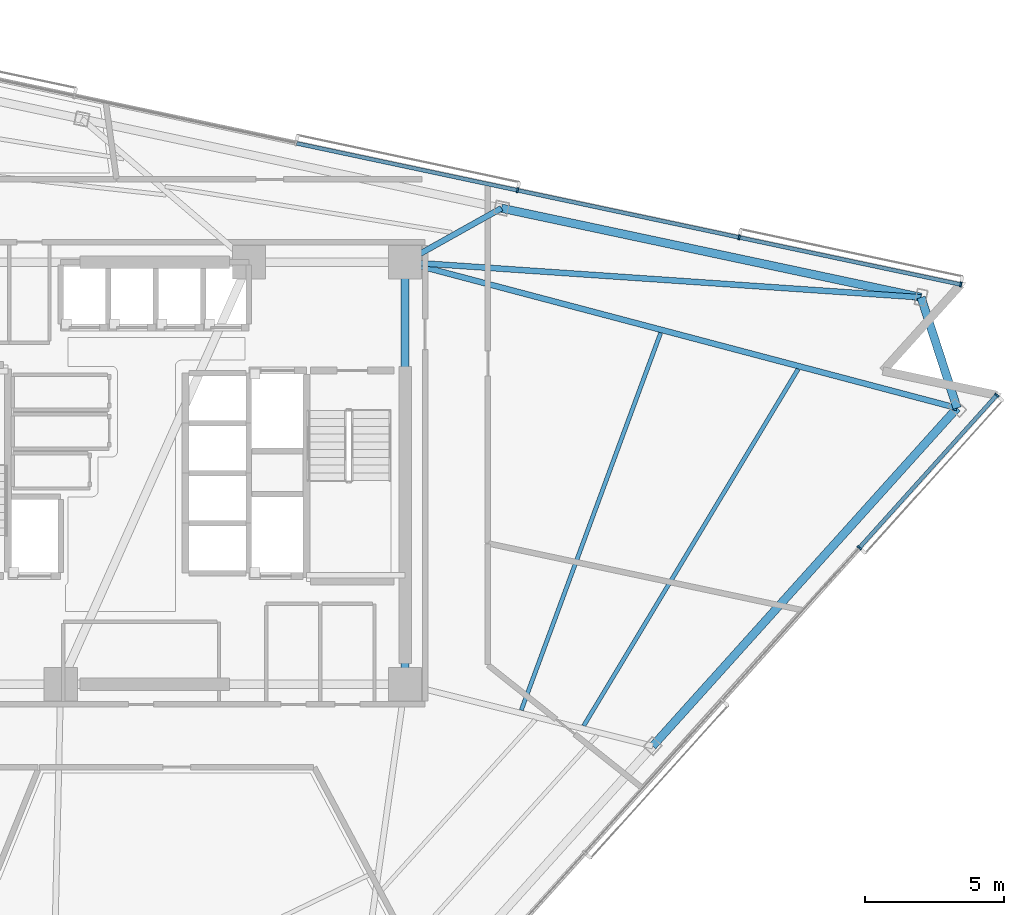
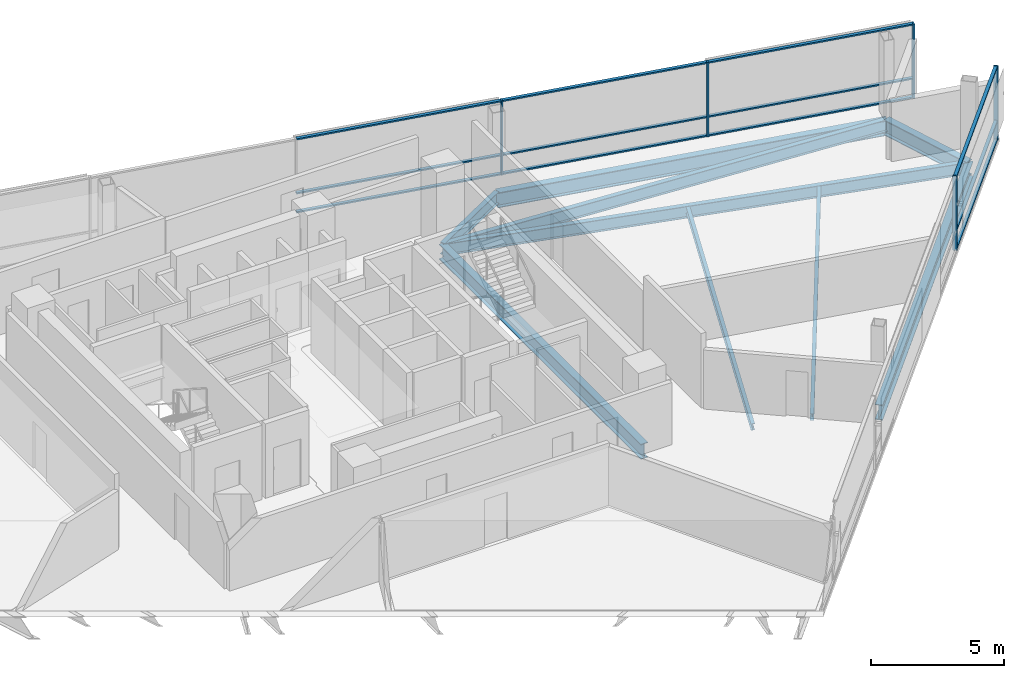
# One storey, part 8 of 17: 17 members, 9 beams, 2 elements without a shape of their own.
"""IFC4 building model written with IfcOpenShell, lengths in metres."""

from ifc_helpers import new_model, si_unit, direction, frame, origin, origin_2d, place, context, subcontext, project, spatial, rectangle, i_section, extrude, material, layer, layer_set, material_profile, profile_set, type_object, element, aggregate, save


model = new_model("IFC4")

# Units and contexts
model_context = context("Model", 3, precision=1e-05, world=origin(), true_north=direction((0.0, 1.0)))
body_context = subcontext(model_context, "Body", "Model", "MODEL_VIEW")
ifc_project = project(units=[si_unit("LENGTHUNIT", "METRE"), si_unit("AREAUNIT", "SQUARE_METRE"), si_unit("VOLUMEUNIT", "CUBIC_METRE"), si_unit("PLANEANGLEUNIT", "RADIAN"), si_unit("MASSUNIT", "GRAM", prefix="KILO")], contexts=[model_context])

# Site, building, storey
site_placement = place(None, origin())
site = spatial("IfcSite", under=ifc_project, at=site_placement, CompositionType="ELEMENT")
building_placement = place(site_placement, origin())
building = spatial("IfcBuilding", under=site, at=building_placement, Name="Tharavind Bronze Gate", CompositionType="ELEMENT")
storey_placement = place(building_placement, frame((0.0, 0.0, 207.64990234375)))
storey = spatial("IfcBuildingStorey", under=building, at=storey_placement, Name="L53", CompositionType="ELEMENT", Elevation=207.64990234375)

# Curtain wall, members
ifc_material_1 = material(Name="Anodised Bronze Aluminium", Category="aluminium")
ifc_layer = layer(ifc_material_1, 0.219970703125)
ifc_layer_set = layer_set([ifc_layer], Name="Anodised Bronze Aluminium")
curtain_wall_type = type_object("IfcCurtainWallType", Name="UNITISED CURTAIN WALL MID OFFICE", PredefinedType="USERDEFINED", material=ifc_layer_set)
curtain_wall_1_placement = place(storey_placement, origin())
curtain_wall_1 = element("IfcCurtainWall", 1, at=curtain_wall_1_placement, inside=storey, type_object=curtain_wall_type, Name="L53 unitised curtain wall mid office CW-L53-S2", ObjectType="UNITISED CURTAIN WALL", PredefinedType="USERDEFINED")
member_type_1 = type_object("IfcMemberType", Name="CURTAIN WALL BRONZE MULLION 65X180", PredefinedType="MULLION", material=ifc_material_1)
member_1_placement = place(storey_placement, frame((25.2548828125, -2.680908203125, 0.000244140625), z_axis=(0.0, 0.0, 1.0), x_axis=(0.669130606359, 0.743144825477, 0.0)))
member_1 = element("IfcMember", 2, at=member_1_placement, type_object=member_type_1, Name="CW-L53-S2 mullion 7", PredefinedType="MULLION", context=body_context, shape_type="SweptSolid", body=[
    extrude(rectangle(XDim=0.06494140625, YDim=0.179931640625, at=origin_2d()), origin(), (0.0, 0.0, 1.0), 3.419921875),
])
member_2_placement = place(storey_placement, frame((30.199462890625, 2.810546875, 0.000244140625), z_axis=(0.0, 0.0, 1.0), x_axis=(0.669130606359, 0.743144825477, 0.0)))
member_2 = element("IfcMember", 3, at=member_2_placement, type_object=member_type_1, Name="CW-L53-S2 mullion 8", PredefinedType="MULLION", context=body_context, shape_type="SweptSolid", body=[
    extrude(rectangle(XDim=0.06494140625, YDim=0.179931640625, at=origin_2d()), origin(), (0.0, 0.0, 1.0), 3.419921875),
])

curtain_wall_2_placement = place(storey_placement, origin())
curtain_wall_2 = element("IfcCurtainWall", 4, at=curtain_wall_2_placement, inside=storey, type_object=curtain_wall_type, Name="L53 unitised curtain wall mid office CW-L53-S3", ObjectType="UNITISED CURTAIN WALL", PredefinedType="USERDEFINED")
member_3_placement = place(storey_placement, frame((28.9052734375, 6.793701171875, 0.000244140625), z_axis=(0.0, 0.0, 1.0), x_axis=(-0.978147600734, 0.207911690818, 0.0)))
member_3 = element("IfcMember", 5, at=member_3_placement, type_object=member_type_1, Name="CW-L53-S3 mullion 1", PredefinedType="MULLION", context=body_context, shape_type="SweptSolid", body=[
    extrude(rectangle(XDim=0.06494140625, YDim=0.179931640625, at=origin_2d()), origin(), (0.0, 0.0, 1.0), 3.419921875),
])
member_4_placement = place(storey_placement, frame((20.927734375, 8.4892578125, 0.000244140625), z_axis=(0.0, 0.0, 1.0), x_axis=(-0.978147600734, 0.207911690818, 0.0)))
member_4 = element("IfcMember", 6, at=member_4_placement, type_object=member_type_1, Name="CW-L53-S3 mullion 2", PredefinedType="MULLION", context=body_context, shape_type="SweptSolid", body=[
    extrude(rectangle(XDim=0.06494140625, YDim=0.179931640625, at=origin_2d()), origin(), (0.0, 0.0, 1.0), 3.419921875),
])
member_5_placement = place(storey_placement, frame((12.9501953125, 10.184814453125, 0.000244140625), z_axis=(0.0, 0.0, 1.0), x_axis=(-0.978147600734, 0.207911690818, 0.0)))
member_5 = element("IfcMember", 7, at=member_5_placement, type_object=member_type_1, Name="CW-L53-S3 mullion 3", PredefinedType="MULLION", context=body_context, shape_type="SweptSolid", body=[
    extrude(rectangle(XDim=0.06494140625, YDim=0.179931640625, at=origin_2d()), origin(), (0.0, 0.0, 1.0), 3.419921875),
])

# Member
member_type_2 = type_object("IfcMemberType", Name="CURTAIN WALL BRONZE TRANSOM 65X140", PredefinedType="USERDEFINED", material=ifc_material_1)
member_6_placement = place(storey_placement, frame((27.72705078125, 0.06494140625, 0.000244140625), z_axis=(0.0, 0.0, 1.0), x_axis=(0.669130606359, 0.743144825477, 0.0)))
member_6 = element("IfcMember", 8, at=member_6_placement, type_object=member_type_2, Name="CW-L53-S2 transom TB7", ObjectType="TRANSOM", PredefinedType="USERDEFINED", context=body_context, shape_type="SweptSolid", body=[
    extrude(rectangle(XDim=7.33642578125, YDim=0.139892578125, at=origin_2d()), origin(), (0.0, 0.0, 1.0), 0.06494140625),
])

member_7_placement = place(storey_placement, frame((27.72705078125, 0.06494140625, 0.86767578125), z_axis=(0.0, 0.0, 1.0), x_axis=(0.669130606359, 0.743144825477, 0.0)))
member_7 = element("IfcMember", 9, at=member_7_placement, type_object=member_type_2, Name="CW-L53-S2 transom TS7", ObjectType="TRANSOM", PredefinedType="USERDEFINED", context=body_context, shape_type="SweptSolid", body=[
    extrude(rectangle(XDim=7.33642578125, YDim=0.139892578125, at=origin_2d()), origin(), (0.0, 0.0, 1.0), 0.06494140625),
])

member_8_placement = place(storey_placement, frame((27.72705078125, 0.06494140625, 3.355224609375), z_axis=(0.0, 0.0, 1.0), x_axis=(0.669130606359, 0.743144825477, 0.0)))
member_8 = element("IfcMember", 10, at=member_8_placement, type_object=member_type_2, Name="CW-L53-S2 transom TT7", ObjectType="TRANSOM", PredefinedType="USERDEFINED", context=body_context, shape_type="SweptSolid", body=[
    extrude(rectangle(XDim=7.33642578125, YDim=0.139892578125, at=origin_2d()), origin(), (0.0, 0.0, 1.0), 0.06494140625),
])

aggregate(curtain_wall_1, [member_1, member_2, member_6, member_7, member_8])

member_9_placement = place(storey_placement, frame((24.91650390625, 7.641357421875, 0.000244140625), z_axis=(0.0, 0.0, 1.0), x_axis=(-0.978147600734, 0.207911690818, 0.0)))
member_9 = element("IfcMember", 11, at=member_9_placement, type_object=member_type_2, Name="CW-L53-S3 transom TB1", ObjectType="TRANSOM", PredefinedType="USERDEFINED", context=body_context, shape_type="SweptSolid", body=[
    extrude(rectangle(XDim=8.102783203125, YDim=0.139892578125, at=origin_2d()), origin(), (0.0, 0.0, 1.0), 0.06494140625),
])

member_10_placement = place(storey_placement, frame((24.91650390625, 7.641357421875, 0.86767578125), z_axis=(0.0, 0.0, 1.0), x_axis=(-0.978147600734, 0.207911690818, 0.0)))
member_10 = element("IfcMember", 12, at=member_10_placement, type_object=member_type_2, Name="CW-L53-S3 transom TS1", ObjectType="TRANSOM", PredefinedType="USERDEFINED", context=body_context, shape_type="SweptSolid", body=[
    extrude(rectangle(XDim=8.102783203125, YDim=0.139892578125, at=origin_2d()), origin(), (0.0, 0.0, 1.0), 0.06494140625),
])

member_11_placement = place(storey_placement, frame((24.91650390625, 7.641357421875, 3.355224609375), z_axis=(0.0, 0.0, 1.0), x_axis=(-0.978147600734, 0.207911690818, 0.0)))
member_11 = element("IfcMember", 13, at=member_11_placement, type_object=member_type_2, Name="CW-L53-S3 transom TT1", ObjectType="TRANSOM", PredefinedType="USERDEFINED", context=body_context, shape_type="SweptSolid", body=[
    extrude(rectangle(XDim=8.102783203125, YDim=0.139892578125, at=origin_2d()), origin(), (0.0, 0.0, 1.0), 0.06494140625),
])

member_12_placement = place(storey_placement, frame((16.93896484375, 9.337158203125, 0.000244140625), z_axis=(0.0, 0.0, 1.0), x_axis=(-0.978147600734, 0.207911690818, 0.0)))
member_12 = element("IfcMember", 14, at=member_12_placement, type_object=member_type_2, Name="CW-L53-S3 transom TB2", ObjectType="TRANSOM", PredefinedType="USERDEFINED", context=body_context, shape_type="SweptSolid", body=[
    extrude(rectangle(XDim=8.102783203125, YDim=0.139892578125, at=origin_2d()), origin(), (0.0, 0.0, 1.0), 0.06494140625),
])

member_13_placement = place(storey_placement, frame((16.93896484375, 9.337158203125, 0.86767578125), z_axis=(0.0, 0.0, 1.0), x_axis=(-0.978147600734, 0.207911690818, 0.0)))
member_13 = element("IfcMember", 15, at=member_13_placement, type_object=member_type_2, Name="CW-L53-S3 transom TS2", ObjectType="TRANSOM", PredefinedType="USERDEFINED", context=body_context, shape_type="SweptSolid", body=[
    extrude(rectangle(XDim=8.102783203125, YDim=0.139892578125, at=origin_2d()), origin(), (0.0, 0.0, 1.0), 0.06494140625),
])

member_14_placement = place(storey_placement, frame((16.93896484375, 9.337158203125, 3.355224609375), z_axis=(0.0, 0.0, 1.0), x_axis=(-0.978147600734, 0.207911690818, 0.0)))
member_14 = element("IfcMember", 16, at=member_14_placement, type_object=member_type_2, Name="CW-L53-S3 transom TT2", ObjectType="TRANSOM", PredefinedType="USERDEFINED", context=body_context, shape_type="SweptSolid", body=[
    extrude(rectangle(XDim=8.102783203125, YDim=0.139892578125, at=origin_2d()), origin(), (0.0, 0.0, 1.0), 0.06494140625),
])

member_15_placement = place(storey_placement, frame((8.96142578125, 11.03271484375, 0.000244140625), z_axis=(0.0, 0.0, 1.0), x_axis=(-0.978147600734, 0.207911690818, 0.0)))
member_15 = element("IfcMember", 17, at=member_15_placement, type_object=member_type_2, Name="CW-L53-S3 transom TB3", ObjectType="TRANSOM", PredefinedType="USERDEFINED", context=body_context, shape_type="SweptSolid", body=[
    extrude(rectangle(XDim=8.102783203125, YDim=0.139892578125, at=origin_2d()), origin(), (0.0, 0.0, 1.0), 0.06494140625),
])

member_16_placement = place(storey_placement, frame((8.96142578125, 11.03271484375, 0.86767578125), z_axis=(0.0, 0.0, 1.0), x_axis=(-0.978147600734, 0.207911690818, 0.0)))
member_16 = element("IfcMember", 18, at=member_16_placement, type_object=member_type_2, Name="CW-L53-S3 transom TS3", ObjectType="TRANSOM", PredefinedType="USERDEFINED", context=body_context, shape_type="SweptSolid", body=[
    extrude(rectangle(XDim=8.102783203125, YDim=0.139892578125, at=origin_2d()), origin(), (0.0, 0.0, 1.0), 0.06494140625),
])

member_17_placement = place(storey_placement, frame((8.96142578125, 11.03271484375, 3.355224609375), z_axis=(0.0, 0.0, 1.0), x_axis=(-0.978147600734, 0.207911690818, 0.0)))
member_17 = element("IfcMember", 19, at=member_17_placement, type_object=member_type_2, Name="CW-L53-S3 transom TT3", ObjectType="TRANSOM", PredefinedType="USERDEFINED", context=body_context, shape_type="SweptSolid", body=[
    extrude(rectangle(XDim=8.102783203125, YDim=0.139892578125, at=origin_2d()), origin(), (0.0, 0.0, 1.0), 0.06494140625),
])

aggregate(curtain_wall_2, [member_3, member_4, member_5, member_9, member_10, member_11, member_12, member_13, member_14, member_15, member_16, member_17])

# Beams
ifc_material_2 = material(Name="Steel S355", Category="steel")
ifc_material_profile_1 = material_profile(ifc_material_2, i_section(OverallWidth=0.2099609375, OverallDepth=0.550048828125, WebThickness=0.010986328125, FlangeThickness=0.01708984375, at=origin_2d()), Name="IPE550")
ifc_profile_set_1 = profile_set([ifc_material_profile_1], Name="Steel S355")
beam_type_1 = type_object("IfcBeamType", Name="PRIMARY GIRDER IPE550", PredefinedType="USERDEFINED", material=ifc_profile_set_1)
beam_1_placement = place(storey_placement, frame((28.772705078125, 2.34716796875, -0.454833984375), z_axis=(-0.966795643793, 0.255550744749, 0.0), x_axis=(-0.255550744749, -0.966795643793, 0.0)))
element("IfcBeam", 20, at=beam_1_placement, inside=storey, type_object=beam_type_1, Name="L53 primary girder ipe550 BM-L53-RAD08", ObjectType="GIRDER", PredefinedType="USERDEFINED", context=body_context, shape_type="SweptSolid", body=[
    extrude(i_section(OverallWidth=0.2099609375, OverallDepth=0.550048828125, WebThickness=0.010986328125, FlangeThickness=0.01708984375, at=origin_2d()), origin(), (0.0, 0.0, 1.0), 20.555419921875),
])
beam_2_placement = place(storey_placement, frame((27.478515625, 6.330078125, -0.454833984375), z_axis=(-0.997671665482, 0.068200057871, 0.0), x_axis=(-0.068200057871, -0.997671665482, 0.0)))
element("IfcBeam", 21, at=beam_2_placement, inside=storey, type_object=beam_type_1, Name="L53 primary girder ipe550 BM-L53-RAD09", ObjectType="GIRDER", PredefinedType="USERDEFINED", context=body_context, shape_type="SweptSolid", body=[
    extrude(i_section(OverallWidth=0.2099609375, OverallDepth=0.550048828125, WebThickness=0.010986328125, FlangeThickness=0.01708984375, at=origin_2d()), origin(), (0.0, 0.0, 1.0), 18.6220703125),
])
beam_3_placement = place(storey_placement, frame((12.370849609375, 9.54150390625, -0.454833984375), z_axis=(-0.872755044117, -0.488158409708, 0.0), x_axis=(0.488158409708, -0.872755044117, 0.0)))
element("IfcBeam", 22, at=beam_3_placement, inside=storey, type_object=beam_type_1, Name="L53 primary girder ipe550 BM-L53-RAD10", ObjectType="GIRDER", PredefinedType="USERDEFINED", context=body_context, shape_type="SweptSolid", body=[
    extrude(i_section(OverallWidth=0.2099609375, OverallDepth=0.550048828125, WebThickness=0.010986328125, FlangeThickness=0.01708984375, at=origin_2d()), origin(), (0.0, 0.0, 1.0), 3.97705078125),
])
ifc_material_profile_2 = material_profile(ifc_material_2, i_section(OverallWidth=0.300048828125, OverallDepth=0.699951171875, WebThickness=0.01708984375, FlangeThickness=0.031982421875, at=origin_2d()), Name="HE700B")
ifc_profile_set_2 = profile_set([ifc_material_profile_2], Name="Steel S355")
beam_type_2 = type_object("IfcBeamType", Name="RING GIRDER HE700B", PredefinedType="USERDEFINED", material=ifc_profile_set_2)
beam_4_placement = place(storey_placement, frame((8.89990234375, -7.60009765625, -0.52978515625), z_axis=(0.0, 1.0, 0.0), x_axis=(-1.0, 0.0, 0.0)))
element("IfcBeam", 23, at=beam_4_placement, inside=storey, type_object=beam_type_2, Name="L53 ring girder he700b BM-L53-CR3", ObjectType="GIRDER", PredefinedType="USERDEFINED", context=body_context, shape_type="SweptSolid", body=[
    extrude(i_section(OverallWidth=0.300048828125, OverallDepth=0.699951171875, WebThickness=0.01708984375, FlangeThickness=0.031982421875, at=origin_2d()), origin(), (0.0, 0.0, 1.0), 15.2001953125),
])
beam_5_placement = place(storey_placement, frame((17.815185546875, -9.82275390625, -0.52978515625), z_axis=(0.669119566961, 0.743154765248, 0.0), x_axis=(-0.743154765248, 0.669119566961, 0.0)))
element("IfcBeam", 24, at=beam_5_placement, inside=storey, type_object=beam_type_2, Name="L53 ring girder he700b BM-L53-PRG07", ObjectType="GIRDER", PredefinedType="USERDEFINED", context=body_context, shape_type="SweptSolid", body=[
    extrude(i_section(OverallWidth=0.300048828125, OverallDepth=0.699951171875, WebThickness=0.01708984375, FlangeThickness=0.031982421875, at=origin_2d()), origin(), (0.0, 0.0, 1.0), 16.3759765625),
])
beam_6_placement = place(storey_placement, frame((28.772705078125, 2.34716796875, -0.52978515625), z_axis=(-0.309030708092, 0.951052060329, 0.0), x_axis=(-0.951052060329, -0.309030708092, 0.0)))
element("IfcBeam", 25, at=beam_6_placement, inside=storey, type_object=beam_type_2, Name="L53 ring girder he700b BM-L53-PRG08", ObjectType="GIRDER", PredefinedType="USERDEFINED", context=body_context, shape_type="SweptSolid", body=[
    extrude(i_section(OverallWidth=0.300048828125, OverallDepth=0.699951171875, WebThickness=0.01708984375, FlangeThickness=0.031982421875, at=origin_2d()), origin(), (0.0, 0.0, 1.0), 4.18798828125),
])
beam_7_placement = place(storey_placement, frame((27.478515625, 6.330078125, -0.52978515625), z_axis=(-0.978145069448, 0.207923599223, 0.0), x_axis=(-0.207923599223, -0.978145069448, 0.0)))
element("IfcBeam", 26, at=beam_7_placement, inside=storey, type_object=beam_type_2, Name="L53 ring girder he700b BM-L53-PRG09", ObjectType="GIRDER", PredefinedType="USERDEFINED", context=body_context, shape_type="SweptSolid", body=[
    extrude(i_section(OverallWidth=0.300048828125, OverallDepth=0.699951171875, WebThickness=0.01708984375, FlangeThickness=0.031982421875, at=origin_2d()), origin(), (0.0, 0.0, 1.0), 15.4453125),
])
ifc_material_profile_3 = material_profile(ifc_material_2, i_section(OverallWidth=0.14990234375, OverallDepth=0.300048828125, WebThickness=0.007080078125, FlangeThickness=0.0107421875, at=origin_2d()), Name="IPE300")
ifc_profile_set_3 = profile_set([ifc_material_profile_3], Name="Steel S355")
beam_type_3 = type_object("IfcBeamType", Name="SECONDARY FLOOR JOIST IPE300", PredefinedType="JOIST", material=ifc_profile_set_3)
beam_8_placement = place(storey_placement, frame((13.08349609375, -8.53076171875, -0.329833984375), z_axis=(0.346563730463, 0.938026428587, 0.0), x_axis=(-0.938026428587, 0.346563730463, 0.0)))
element("IfcBeam", 27, at=beam_8_placement, inside=storey, type_object=beam_type_3, Name="L53 secondary floor joist ipe300 BM-L53-JSTA07", PredefinedType="JOIST", context=body_context, shape_type="SweptSolid", body=[
    extrude(i_section(OverallWidth=0.14990234375, OverallDepth=0.300048828125, WebThickness=0.007080078125, FlangeThickness=0.0107421875, at=origin_2d()), origin(), (0.0, 0.0, 1.0), 14.48291015625),
])
beam_9_placement = place(storey_placement, frame((15.3330078125, -9.091796875, -0.329833984375), z_axis=(0.515205011559, 0.857066972917, 0.0), x_axis=(-0.857066972917, 0.515205011559, 0.0)))
element("IfcBeam", 28, at=beam_9_placement, inside=storey, type_object=beam_type_3, Name="L53 secondary floor joist ipe300 BM-L53-JSTB07", PredefinedType="JOIST", context=body_context, shape_type="SweptSolid", body=[
    extrude(i_section(OverallWidth=0.14990234375, OverallDepth=0.300048828125, WebThickness=0.007080078125, FlangeThickness=0.0107421875, at=origin_2d()), origin(), (0.0, 0.0, 1.0), 14.97998046875),
])

save(model, "model.ifc")
